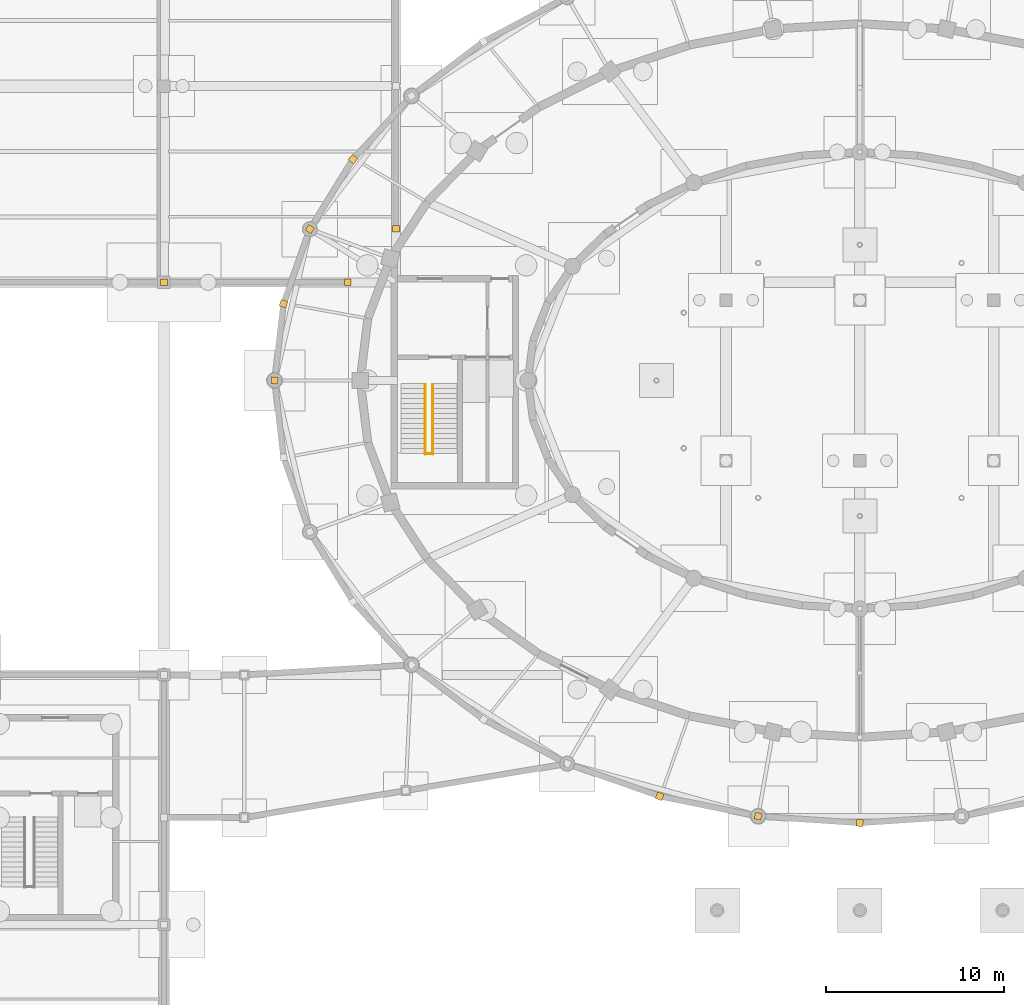
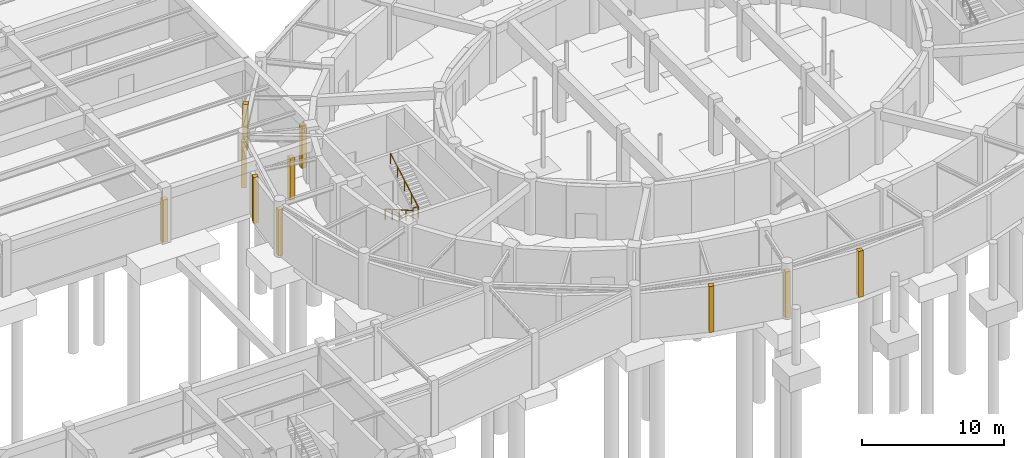
# One storey, part 35 of 42: 10 coverings, 3 railings.
"""IFC4 building model written with IfcOpenShell, lengths in metres."""

from ifc_helpers import new_model, si_unit, direction, frame, origin, origin_2d, place, context, subcontext, project, spatial, rectangle, circle, extrude, material, layer, layer_set, type_object, element, save


model = new_model("IFC4")

# Units and contexts
model_context = context("Model", 3, precision=1e-05, world=origin(), true_north=direction((0.0, 1.0)))
body_context = subcontext(model_context, "Body", "Model", "MODEL_VIEW")
ifc_project = project(units=[si_unit("LENGTHUNIT", "METRE"), si_unit("AREAUNIT", "SQUARE_METRE"), si_unit("VOLUMEUNIT", "CUBIC_METRE"), si_unit("PLANEANGLEUNIT", "RADIAN"), si_unit("MASSUNIT", "GRAM", prefix="KILO")], contexts=[model_context])

# Site, building, storey
site_placement = place(None, origin())
site = spatial("IfcSite", under=ifc_project, at=site_placement, CompositionType="ELEMENT")
building_placement = place(site_placement, origin())
building = spatial("IfcBuilding", under=site, at=building_placement, Name="Tarnveldt Headland Concert Hall", CompositionType="ELEMENT")
storey_placement = place(building_placement, frame((0.0, 0.0, -4.800048828125)))
storey = spatial("IfcBuildingStorey", under=building, at=storey_placement, Name="B1", CompositionType="ELEMENT", Elevation=-4.800048828125)

# Coverings
ifc_material_1 = material(Name="Coral-toned precast concrete C40/50", Category="concrete")
ifc_layer_1 = layer(ifc_material_1, 0.360107421875, Name="Coral-toned precast concrete C40/50", Category="concrete")
ifc_layer_set_1 = layer_set([ifc_layer_1], Name="Coral-toned precast concrete C40/50")
covering_type = type_object("IfcCoveringType", Name="CV-JNT360", PredefinedType="CLADDING", material=ifc_layer_set_1)
covering_1_placement = place(storey_placement, frame((44.5, 60.0, 0.0), z_axis=(0.0, 0.0, 1.0), x_axis=(-1.0, 0.0, 0.0)))
element("IfcCovering", 1, at=covering_1_placement, inside=storey, type_object=covering_type, Name="Precast facade joint closure pilaster B1-26", PredefinedType="CLADDING", context=body_context, shape_type="SweptSolid", body=[
    extrude(rectangle(XDim=0.3798828125, YDim=0.3798828125, at=origin_2d()), origin(), (0.0, 0.0, 1.0), 3.637939453125),
])
for number, where, z_axis, x_axis, name in (
    (2, (50.699951171875, 54.5, 0.0), (0.0, 0.0, 1.0), (0.114937150493, 0.9933727656, 0.0), "Precast facade joint closure pilaster B1-30"),
    (3, (51.1982421875, 58.806396484375, 0.0), (0.0, 0.0, 1.0), (0.333971376126, 0.942583216448, 0.0), "Precast facade joint closure pilaster B1-32"),
):
    element("IfcCovering", number, at=place(storey_placement, frame(where, z_axis=z_axis, x_axis=x_axis)), inside=storey, type_object=covering_type, Name=name, PredefinedType="CLADDING", context=body_context, shape_type="SweptSolid", body=[
        extrude(rectangle(XDim=0.3798828125, YDim=0.3798828125, at=origin_2d()), origin(), (0.0, 0.0, 1.0), 3.949951171875),
    ])
covering_2_placement = place(storey_placement, frame((52.677978515625, 62.982177734375, 0.0), z_axis=(0.0, 0.0, 1.0), x_axis=(0.524877544859, 0.851177750474, 0.0)))
element("IfcCovering", 4, at=covering_2_placement, inside=storey, type_object=covering_type, Name="Precast facade joint closure pilaster B1-34", PredefinedType="CLADDING", context=body_context, shape_type="SweptSolid", body=[
    extrude(rectangle(XDim=0.3798828125, YDim=0.3798828125, at=origin_2d()), origin(), (0.0, 0.0, 1.0), 3.93798828125),
])
covering_3_placement = place(storey_placement, frame((54.800048828125, 60.0, 0.0), z_axis=(0.0, 0.0, 1.0), x_axis=(-1.0, 0.0, 0.0)))
element("IfcCovering", 5, at=covering_3_placement, inside=storey, type_object=covering_type, Name="Precast facade joint closure pilaster B1-35", PredefinedType="CLADDING", context=body_context, shape_type="SweptSolid", body=[
    extrude(rectangle(XDim=0.3798828125, YDim=0.3798828125, at=origin_2d()), origin(), (0.0, 0.0, 1.0), 3.637939453125),
])
covering_4_placement = place(storey_placement, frame((55.094482421875, 66.89990234375, 0.0), z_axis=(0.0, 0.0, 1.0), x_axis=(0.679441304262, 0.733729864503, 0.0)))
element("IfcCovering", 6, at=covering_4_placement, inside=storey, type_object=covering_type, Name="Precast facade joint closure pilaster B1-37", PredefinedType="CLADDING", context=body_context, shape_type="SweptSolid", body=[
    extrude(rectangle(XDim=0.3798828125, YDim=0.3798828125, at=origin_2d()), origin(), (0.0, 0.0, 1.0), 3.93798828125),
])
covering_5_placement = place(storey_placement, frame((57.5, 63.0, 0.0), z_axis=(0.0, 0.0, 1.0), x_axis=(0.0, -1.0, 0.0)))
element("IfcCovering", 7, at=covering_5_placement, inside=storey, type_object=covering_type, Name="Precast facade joint closure pilaster B1-38", PredefinedType="CLADDING", context=body_context, shape_type="SweptSolid", body=[
    extrude(rectangle(XDim=0.3798828125, YDim=0.3798828125, at=origin_2d()), origin(), (0.0, 0.0, 1.0), 3.637939453125),
])
for number, where, z_axis, x_axis, name in (
    (8, (72.28173828125, 31.195556640625, 0.0), (0.0, 0.0, 1.0), (-0.943106654378, 0.33249035846, 0.0), "Precast facade joint closure pilaster B1-51"),
    (9, (77.80419921875, 30.076904296875, 0.0), (0.0, 0.0, 1.0), (-0.980098312815, 0.198512712986, 0.0), "Precast facade joint closure pilaster B1-53"),
    (10, (83.5, 29.699951171875, 0.0), (0.0, 0.0, 1.0), (-0.997813020072, 0.066099750182, 0.0), "Precast facade joint closure pilaster B1-55"),
):
    element("IfcCovering", number, at=place(storey_placement, frame(where, z_axis=z_axis, x_axis=x_axis)), inside=storey, type_object=covering_type, Name=name, PredefinedType="CLADDING", context=body_context, shape_type="SweptSolid", body=[
        extrude(rectangle(XDim=0.3798828125, YDim=0.3798828125, at=origin_2d()), origin(), (0.0, 0.0, 1.0), 3.949951171875),
    ])

# Railings
ifc_material_2 = material(Name="Marine stainless steel", Category="steel")
ifc_layer_2 = layer(ifc_material_2, 0.06005859375, Name="Marine stainless steel", Category="steel")
ifc_layer_set_2 = layer_set([ifc_layer_2], Name="Marine stainless steel")
railing_type_1 = type_object("IfcRailingType", Name="RL-GRD110", PredefinedType="GUARDRAIL", material=ifc_layer_set_2)
railing_1_placement = place(storey_placement, frame((59.14990234375, 50.39990234375, 2.400146484375)))
element("IfcRailing", 11, at=railing_1_placement, inside=storey, type_object=railing_type_1, Name="GUARD STR-C1-B1 half-landing well", PredefinedType="GUARDRAIL", context=body_context, shape_type="SweptSolid", body=[
    extrude(circle(Radius=0.02392578125, at=origin_2d()), frame((0.0, 0.0, 1.076171875), z_axis=(1.0, 0.0, 0.0), x_axis=(0.0, 1.0, 0.0)), (0.0, 0.0, 1.0), 0.420166015625),
    extrude(circle(Radius=0.02099609375, at=origin_2d()), origin(), (0.0, 0.0, 1.0), 1.052001953125),
    extrude(circle(Radius=0.02099609375, at=origin_2d()), frame((0.420166015625, 0.0, 0.0)), (0.0, 0.0, 1.0), 1.052001953125),
])
ifc_layer_3 = layer(ifc_material_2, 0.048095703125, Name="Marine stainless steel", Category="steel")
ifc_layer_set_3 = layer_set([ifc_layer_3], Name="Marine stainless steel")
railing_type_2 = type_object("IfcRailingType", Name="RL-HND092", PredefinedType="HANDRAIL", material=ifc_layer_set_3)
railing_2_placement = place(storey_placement, frame((59.14990234375, 54.280029296875, 0.16015625)))
element("IfcRailing", 12, at=railing_2_placement, inside=storey, type_object=railing_type_2, Name="HANDRAIL STR-C1-B1 flight 1", PredefinedType="HANDRAIL", context=body_context, shape_type="SweptSolid", body=[
    extrude(circle(Radius=0.02392578125, at=origin_2d()), frame((0.0, 0.0, 0.89599609375), z_axis=(0.0, -0.868239814368, 0.496144761885), x_axis=(1.0, 0.0, 0.0)), (0.0, 0.0, 1.0), 4.514892578125),
    extrude(circle(Radius=0.02099609375, at=origin_2d()), origin(), (0.0, 0.0, 1.0), 0.871826171875),
    extrude(circle(Radius=0.02099609375, at=origin_2d()), frame((0.0, -0.97998046875, 0.56005859375)), (0.0, 0.0, 1.0), 0.871826171875),
    extrude(circle(Radius=0.02099609375, at=origin_2d()), frame((0.0, -1.9599609375, 1.1201171875)), (0.0, 0.0, 1.0), 0.871826171875),
    extrude(circle(Radius=0.02099609375, at=origin_2d()), frame((0.0, -2.93994140625, 1.679931640625)), (0.0, 0.0, 1.0), 0.871826171875),
    extrude(circle(Radius=0.02099609375, at=origin_2d()), frame((0.0, -3.919921875, 2.239990234375)), (0.0, 0.0, 1.0), 0.871826171875),
])
railing_3_placement = place(storey_placement, frame((59.570068359375, 50.360107421875, 2.56005859375)))
element("IfcRailing", 13, at=railing_3_placement, inside=storey, type_object=railing_type_2, Name="HANDRAIL STR-C1-B1 flight 2", PredefinedType="HANDRAIL", context=body_context, shape_type="SweptSolid", body=[
    extrude(circle(Radius=0.02392578125, at=origin_2d()), frame((0.0, 0.0, 0.89599609375), z_axis=(0.0, 0.868239814368, 0.496144761885), x_axis=(-1.0, 0.0, 0.0)), (0.0, 0.0, 1.0), 4.514892578125),
    extrude(circle(Radius=0.02099609375, at=origin_2d()), origin(), (0.0, 0.0, 1.0), 0.871826171875),
    extrude(circle(Radius=0.02099609375, at=origin_2d()), frame((0.0, 0.97998046875, 0.56005859375)), (0.0, 0.0, 1.0), 0.871826171875),
    extrude(circle(Radius=0.02099609375, at=origin_2d()), frame((0.0, 1.9599609375, 1.1201171875)), (0.0, 0.0, 1.0), 0.871826171875),
    extrude(circle(Radius=0.02099609375, at=origin_2d()), frame((0.0, 2.93994140625, 1.679931640625)), (0.0, 0.0, 1.0), 0.871826171875),
    extrude(circle(Radius=0.02099609375, at=origin_2d()), frame((0.0, 3.919921875, 2.239990234375)), (0.0, 0.0, 1.0), 0.871826171875),
])

save(model, "model.ifc")
